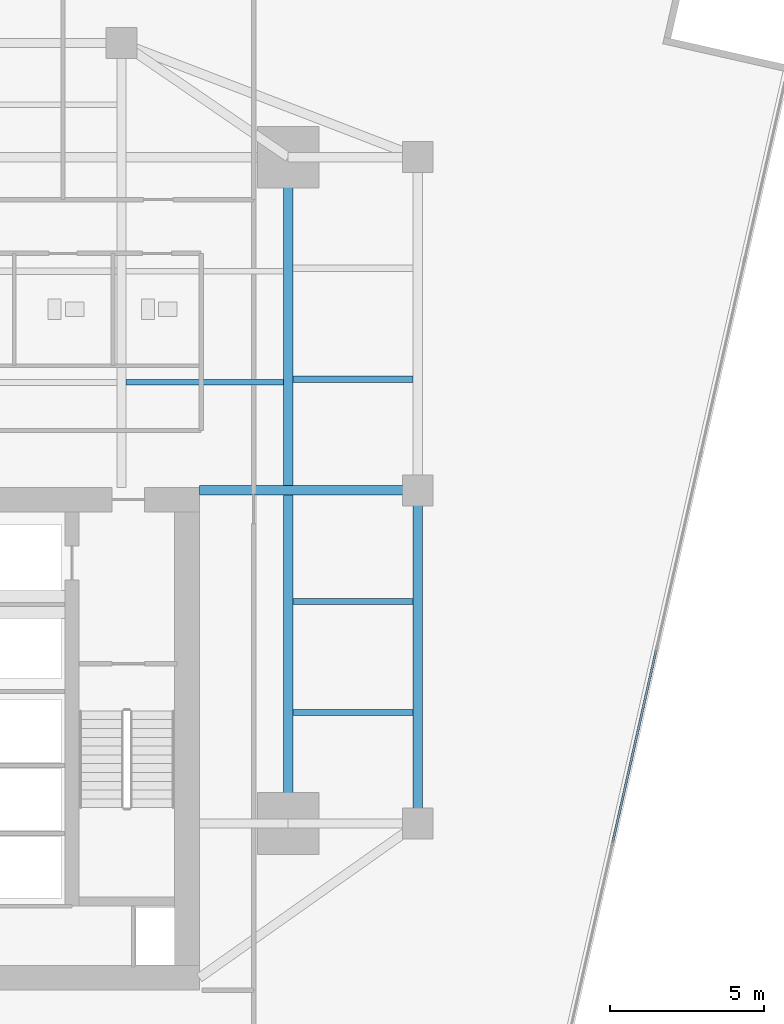
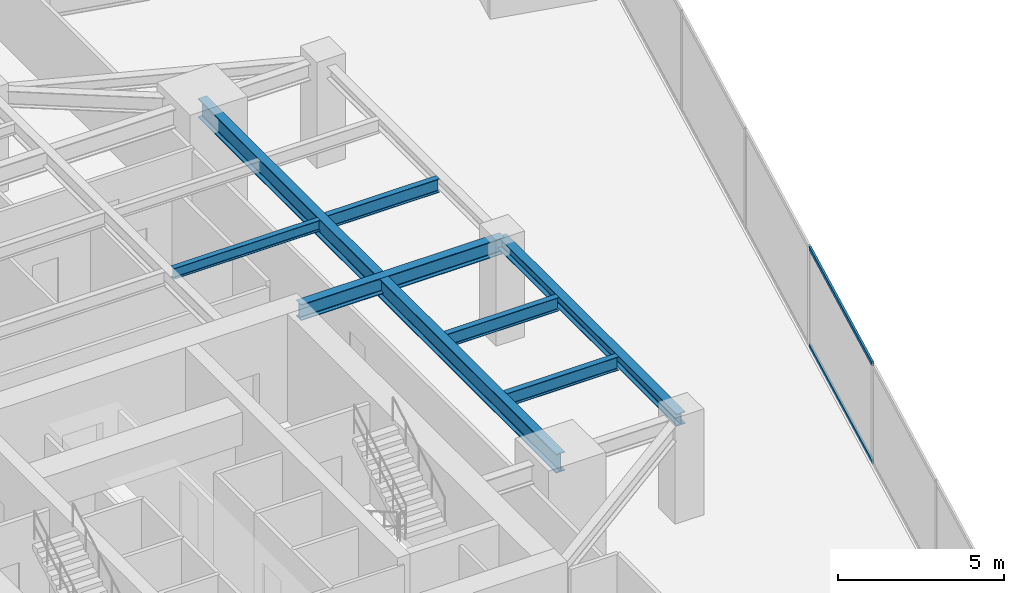
# One storey, part 12 of 27: 7 beams, 2 members, 1 element without a shape of its own.
"""IFC4 building model written with IfcOpenShell, lengths in metres."""

from ifc_helpers import new_model, si_unit, direction, frame, origin, origin_2d, place, context, subcontext, project, spatial, hollow_rectangle, i_section, extrude, source, transform, mapped, material, material_profile, profile_set, type_object, type_shapes, element, aggregate, save


model = new_model("IFC4")

# Units and contexts
model_context = context("Model", 3, precision=1e-05, world=origin(), true_north=direction((0.0, 1.0)))
body_context = subcontext(model_context, "Body", "Model", "MODEL_VIEW")
ifc_project = project(units=[si_unit("LENGTHUNIT", "METRE"), si_unit("AREAUNIT", "SQUARE_METRE"), si_unit("VOLUMEUNIT", "CUBIC_METRE"), si_unit("PLANEANGLEUNIT", "RADIAN"), si_unit("MASSUNIT", "GRAM", prefix="KILO")], contexts=[model_context])

# Site, building, storey
site_placement = place(None, origin())
site = spatial("IfcSite", under=ifc_project, at=site_placement, CompositionType="ELEMENT")
building_placement = place(site_placement, origin())
building = spatial("IfcBuilding", under=site, at=building_placement, Name="Krantzveldt Concourse Tower", CompositionType="ELEMENT")
storey_placement = place(building_placement, frame((0.0, 0.0, 86.10009765625)))
storey = spatial("IfcBuildingStorey", under=building, at=storey_placement, Name="L20", CompositionType="ELEMENT", Elevation=86.10009765625)

# Beams
ifc_material_1 = material(Name="Steel S355J2", Category="steel")
ifc_material_profile_1 = material_profile(ifc_material_1, i_section(OverallWidth=0.300048828125, OverallDepth=0.699951171875, WebThickness=0.01708984375, FlangeThickness=0.031982421875, FilletRadius=0.027099609375, at=origin_2d()), Name="Steel S355J2", Category="steel")
ifc_profile_set_1 = profile_set([ifc_material_profile_1], Name="Steel S355J2 - HEB 700")
beam_type_1 = type_object("IfcBeamType", Name="BM-B-HEB700", PredefinedType="BEAM", material=ifc_profile_set_1)
shared_shape_1 = source(origin(), body_context, "Body", "SweptSolid", [
    extrude(i_section(OverallWidth=0.300048828125, OverallDepth=0.699951171875, WebThickness=0.01708984375, FlangeThickness=0.031982421875, FilletRadius=0.027099609375, at=origin_2d()), origin(), (0.0, 0.0, 1.0), 21.60009765625),
])
type_shapes(beam_type_1, [shared_shape_1])
beam_1_placement = place(storey_placement, frame((46.800048828125, 15.89990234375, 3.31982421875), z_axis=(0.0, 1.0, 0.0), x_axis=(-1.0, 0.0, 0.0)))
element("IfcBeam", 1, at=beam_1_placement, inside=storey, type_object=beam_type_1, Name="L20 Tower Girder BG-ME", PredefinedType="BEAM", context=body_context, shape_type="MappedRepresentation", body=[
    mapped(shared_shape_1, transform((0.0, 0.0, 0.0), x_axis=(1.0, 0.0, 0.0), y_axis=(0.0, 1.0, 0.0), z_axis=(0.0, 0.0, 1.0), scale=1.0)),
])
ifc_material_2 = material(Name="Steel S355JR", Category="steel")
ifc_material_profile_2 = material_profile(ifc_material_2, i_section(OverallWidth=0.300048828125, OverallDepth=0.590087890625, WebThickness=0.012939453125, FlangeThickness=0.02490234375, FilletRadius=0.027099609375, at=origin_2d()), Name="Steel S355JR", Category="steel")
ifc_profile_set_2 = profile_set([ifc_material_profile_2], Name="Steel S355JR - HEA 600")
beam_type_2 = type_object("IfcBeamType", Name="BM-B-HEA600", PredefinedType="BEAM", material=ifc_profile_set_2)
shared_shape_2 = source(origin(), body_context, "Body", "SweptSolid", [
    extrude(i_section(OverallWidth=0.300048828125, OverallDepth=0.590087890625, WebThickness=0.012939453125, FlangeThickness=0.02490234375, FilletRadius=0.027099609375, at=origin_2d()), origin(), (0.0, 0.0, 1.0), 7.080078125),
])
type_shapes(beam_type_2, [shared_shape_2])
beam_2_placement = place(storey_placement, frame((43.919921875, 26.699951171875, 3.375), z_axis=(1.0, 0.0, 0.0), x_axis=(0.0, 1.0, 0.0)))
element("IfcBeam", 2, at=beam_2_placement, inside=storey, type_object=beam_type_2, Name="L20 Tower Girder BG-CE2", PredefinedType="BEAM", context=body_context, shape_type="MappedRepresentation", body=[
    mapped(shared_shape_2, transform((0.0, 0.0, 0.0), x_axis=(1.0, 0.0, 0.0), y_axis=(0.0, 1.0, 0.0), z_axis=(0.0, 0.0, 1.0), scale=1.0)),
])
ifc_material_profile_3 = material_profile(ifc_material_2, i_section(OverallWidth=0.300048828125, OverallDepth=0.43994140625, WebThickness=0.011474609375, FlangeThickness=0.02099609375, FilletRadius=0.027099609375, at=origin_2d()), Name="Steel S355JR", Category="steel")
ifc_profile_set_3 = profile_set([ifc_material_profile_3], Name="Steel S355JR - HEA 450")
beam_type_3 = type_object("IfcBeamType", Name="BM-SP-HEA450", PredefinedType="SPANDREL", material=ifc_profile_set_3)
shared_shape_3 = source(origin(), body_context, "Body", "SweptSolid", [
    extrude(i_section(OverallWidth=0.300048828125, OverallDepth=0.43994140625, WebThickness=0.011474609375, FlangeThickness=0.02099609375, FilletRadius=0.027099609375, at=origin_2d()), origin(), (0.0, 0.0, 1.0), 10.800048828125),
])
type_shapes(beam_type_3, [shared_shape_3])
beam_3_placement = place(storey_placement, frame((51.0, 26.699951171875, 3.449951171875), z_axis=(0.0, -1.0, 0.0), x_axis=(1.0, 0.0, 0.0)))
element("IfcBeam", 3, at=beam_3_placement, inside=storey, type_object=beam_type_3, Name="L20 Tower Girder SP-R07", PredefinedType="SPANDREL", context=body_context, shape_type="MappedRepresentation", body=[
    mapped(shared_shape_3, transform((0.0, 0.0, 0.0), x_axis=(1.0, 0.0, 0.0), y_axis=(0.0, 1.0, 0.0), z_axis=(0.0, 0.0, 1.0), scale=1.0)),
])
ifc_material_profile_4 = material_profile(ifc_material_2, i_section(OverallWidth=0.179931640625, OverallDepth=0.39990234375, WebThickness=0.008544921875, FlangeThickness=0.013427734375, FilletRadius=0.02099609375, at=origin_2d()), Name="Steel S355JR", Category="steel")
ifc_profile_set_4 = profile_set([ifc_material_profile_4], Name="Steel S355JR - IPE 400")
beam_type_4 = type_object("IfcBeamType", Name="BM-J-IPE400", PredefinedType="JOIST", material=ifc_profile_set_4)
shared_shape_4 = source(origin(), body_context, "Body", "SweptSolid", [
    extrude(i_section(OverallWidth=0.179931640625, OverallDepth=0.39990234375, WebThickness=0.008544921875, FlangeThickness=0.013427734375, FilletRadius=0.02099609375, at=origin_2d()), origin(), (0.0, 0.0, 1.0), 5.099853515625),
])
type_shapes(beam_type_4, [shared_shape_4])
beam_4_placement = place(storey_placement, frame((41.550048828125, 30.199951171875, 3.469970703125), z_axis=(1.0, 0.0, 0.0), x_axis=(0.0, 1.0, 0.0)))
element("IfcBeam", 4, at=beam_4_placement, inside=storey, type_object=beam_type_4, Name="L20 Secondary Floor Joist JN-E1", PredefinedType="JOIST", context=body_context, shape_type="MappedRepresentation", body=[
    mapped(shared_shape_4, transform((0.0, 0.0, 0.0), x_axis=(1.0, 0.0, 0.0), y_axis=(0.0, 1.0, 0.0), z_axis=(0.0, 0.0, 1.0), scale=1.0)),
])
ifc_material_profile_5 = material_profile(ifc_material_2, i_section(OverallWidth=0.199951171875, OverallDepth=0.5, WebThickness=0.01025390625, FlangeThickness=0.01611328125, FilletRadius=0.02099609375, at=origin_2d()), Name="Steel S355JR", Category="steel")
ifc_profile_set_5 = profile_set([ifc_material_profile_5], Name="Steel S355JR - IPE 500")
beam_type_5 = type_object("IfcBeamType", Name="BM-J-IPE500", PredefinedType="JOIST", material=ifc_profile_set_5)
shared_shape_5 = source(origin(), body_context, "Body", "SweptSolid", [
    extrude(i_section(OverallWidth=0.199951171875, OverallDepth=0.5, WebThickness=0.01025390625, FlangeThickness=0.01611328125, FilletRadius=0.02099609375, at=origin_2d()), origin(), (0.0, 0.0, 1.0), 3.900146484375),
])
type_shapes(beam_type_5, [shared_shape_5])
for number, where, z_axis, x_axis, name in (
    (5, (46.949951171875, 19.5, 3.419921875), (1.0, 0.0, 0.0), (0.0, 1.0, 0.0), "L20 Secondary Floor Joist JE-1"),
    (6, (46.949951171875, 23.10009765625, 3.419921875), (1.0, 0.0, 0.0), (0.0, 1.0, 0.0), "L20 Secondary Floor Joist JE-2"),
    (7, (46.949951171875, 30.300048828125, 3.419921875), (1.0, 0.0, 0.0), (0.0, 1.0, 0.0), "L20 Secondary Floor Joist JE-3"),
):
    element("IfcBeam", number, at=place(storey_placement, frame(where, z_axis=z_axis, x_axis=x_axis)), inside=storey, type_object=beam_type_5, Name=name, PredefinedType="JOIST", context=body_context, shape_type="MappedRepresentation", body=[
        mapped(shared_shape_5, transform((0.0, 0.0, 0.0), x_axis=(1.0, 0.0, 0.0), y_axis=(0.0, 1.0, 0.0), z_axis=(0.0, 0.0, 1.0), scale=1.0)),
    ])

# Curtain wall, members
ifc_material_3 = material(Name="Anodised aluminium 6063-T6", Category="aluminium")
curtain_wall_type = type_object("IfcCurtainWallType", Name="CW2", PredefinedType="USERDEFINED", material=ifc_material_3)
curtain_wall_placement = place(storey_placement, origin())
curtain_wall = element("IfcCurtainWall", 8, at=curtain_wall_placement, inside=storey, type_object=curtain_wall_type, Name="CW-L20-F07", ObjectType="UNITISED CURTAIN WALL", PredefinedType="USERDEFINED")
ifc_material_profile_6 = material_profile(ifc_material_3, hollow_rectangle(XDim=0.070068359375, YDim=0.139892578125, WallThickness=0.0048828125, at=origin_2d()), Name="Anodised aluminium 6063-T6", Category="aluminium")
ifc_profile_set_6 = profile_set([ifc_material_profile_6], Name="Anodised aluminium 6063-T6 - ALU-TRAN 140x70x5")
member_type = type_object("IfcMemberType", Name="CW-TRN-150", PredefinedType="USERDEFINED", material=ifc_profile_set_6)
shared_shape_6 = source(origin(), body_context, "Body", "SweptSolid", [
    extrude(hollow_rectangle(XDim=0.070068359375, YDim=0.139892578125, WallThickness=0.0048828125, at=origin_2d()), origin(), (0.0, 0.0, 1.0), 6.396728515625),
])
type_shapes(member_type, [shared_shape_6])
member_1_placement = place(storey_placement, frame((57.315673828125, 15.282470703125, 0.034912109375), z_axis=(0.220715365874, 0.975338262998, 0.0), x_axis=(-0.975338262998, 0.220715365874, 0.0)))
member_1 = element("IfcMember", 9, at=member_1_placement, type_object=member_type, Name="CW-Z12 transom 3.1", ObjectType="TRANSOM", PredefinedType="USERDEFINED", context=body_context, shape_type="MappedRepresentation", body=[
    mapped(shared_shape_6, transform((0.0, 0.0, 0.0), x_axis=(1.0, 0.0, 0.0), y_axis=(0.0, 1.0, 0.0), z_axis=(0.0, 0.0, 1.0), scale=1.0)),
])
member_2_placement = place(storey_placement, frame((57.315673828125, 15.282470703125, 3.635009765625), z_axis=(0.220715365874, 0.975338262998, 0.0), x_axis=(-0.975338262998, 0.220715365874, 0.0)))
member_2 = element("IfcMember", 10, at=member_2_placement, type_object=member_type, Name="CW-Z12 transom 3.2", ObjectType="TRANSOM", PredefinedType="USERDEFINED", context=body_context, shape_type="MappedRepresentation", body=[
    mapped(shared_shape_6, transform((0.0, 0.0, 0.0), x_axis=(1.0, 0.0, 0.0), y_axis=(0.0, 1.0, 0.0), z_axis=(0.0, 0.0, 1.0), scale=1.0)),
])
aggregate(curtain_wall, [member_1, member_2])

save(model, "model.ifc")
